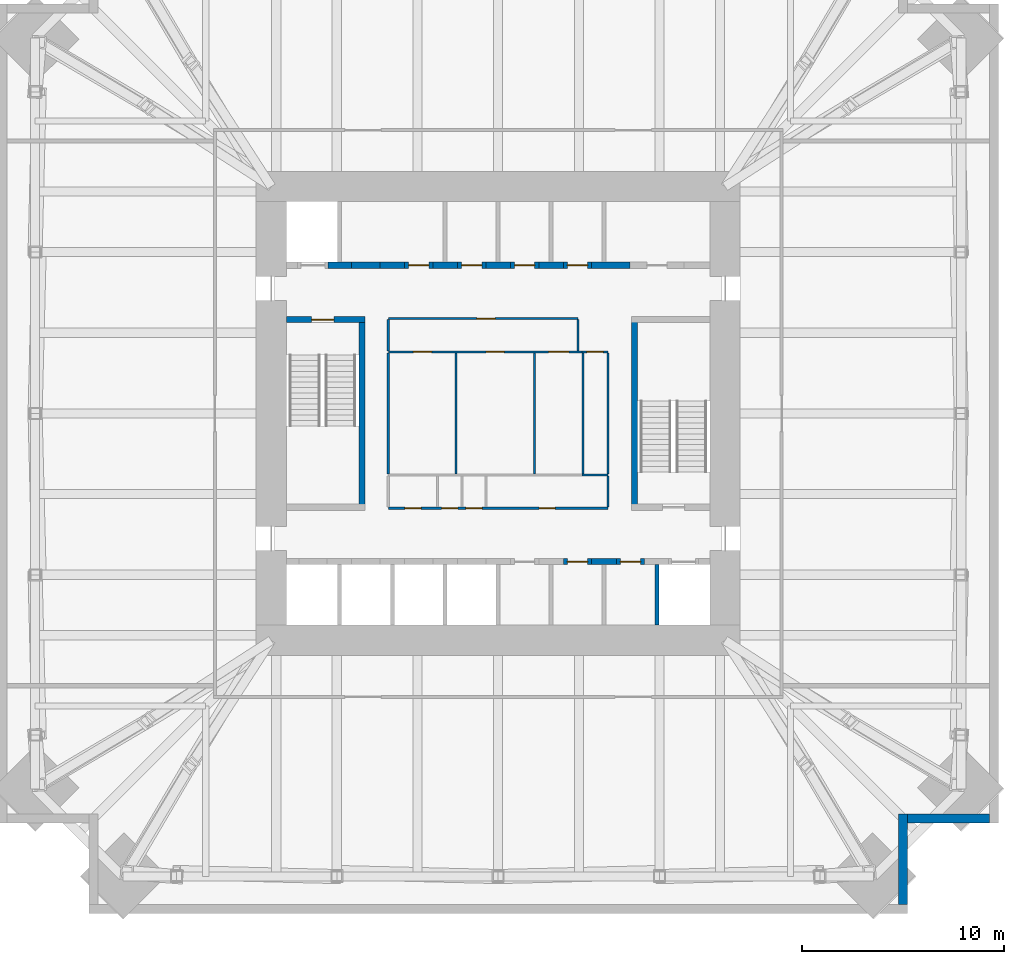
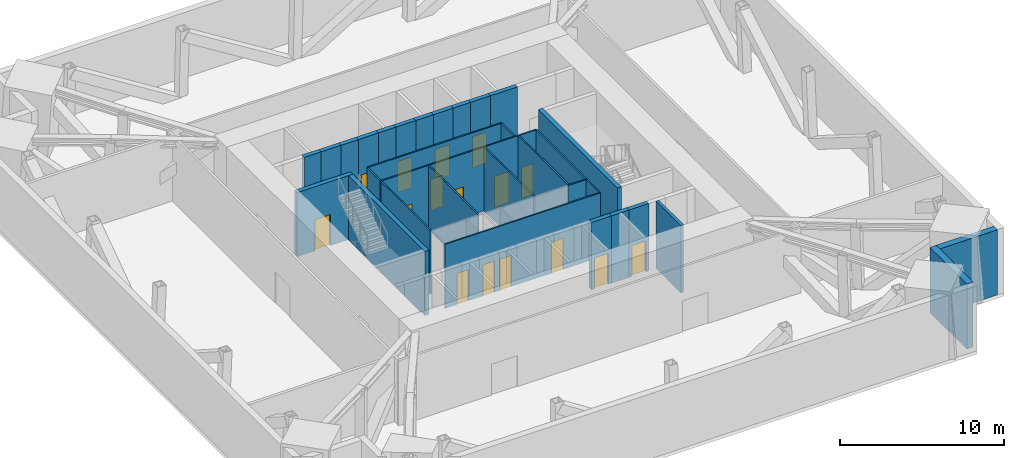
# One storey, part 4 of 6: 33 walls, 16 doors, 16 openings.
"""IFC4 building model written with IfcOpenShell, lengths in metres."""

from ifc_helpers import new_model, si_unit, direction, frame, frame_2d, origin, place, context, subcontext, project, spatial, rectangle, extrude, material, layer, layer_set, type_object, element, fill, save


model = new_model("IFC4")

# Units and contexts
model_context = context("Model", 3, precision=1e-05, world=origin(), true_north=direction((0.0, 1.0)))
body_context = subcontext(model_context, "Body", "Model", "MODEL_VIEW")
ifc_project = project(units=[si_unit("LENGTHUNIT", "METRE"), si_unit("AREAUNIT", "SQUARE_METRE"), si_unit("VOLUMEUNIT", "CUBIC_METRE"), si_unit("PLANEANGLEUNIT", "RADIAN"), si_unit("MASSUNIT", "GRAM", prefix="KILO")], contexts=[model_context])

# Site, building, storey
site_placement = place(None, origin())
site = spatial("IfcSite", under=ifc_project, at=site_placement, CompositionType="ELEMENT")
building_placement = place(site_placement, origin())
building = spatial("IfcBuilding", under=site, at=building_placement, Name="Peilmerk Tower", CompositionType="ELEMENT")
storey_placement = place(building_placement, frame((0.0, 0.0, 196.800048828125)))
storey = spatial("IfcBuildingStorey", under=building, at=storey_placement, Name="L42", CompositionType="ELEMENT", Elevation=196.800048828125)

# Walls
ifc_material_1 = material(Name="Precast concrete C45/55, board-marked finish", Category="concrete")
ifc_layer_1 = layer(ifc_material_1, 0.449951171875)
ifc_layer_set_1 = layer_set([ifc_layer_1], Name="Precast concrete C45/55, board-marked finish")
wall_type_1 = type_object("IfcWallType", Name="EW1 450 precast concrete facade wall, board-marked", PredefinedType="SOLIDWALL", material=ifc_layer_set_1)
wall_1_placement = place(storey_placement, frame((20.074951171875, -19.85009765625, 0.0), z_axis=(0.0, 0.0, 1.0), x_axis=(0.0, -1.0, 0.0)))
element("IfcWall", 1, at=wall_1_placement, inside=storey, type_object=wall_type_1, Name="Facade wall SEA L42", PredefinedType="SOLIDWALL", context=body_context, shape_type="SweptSolid", body=[
    extrude(rectangle(XDim=4.5, YDim=0.449951171875, at=frame_2d((2.25, 0.0))), origin(), (0.0, 0.0, 1.0), 4.829833984375),
])
wall_2_placement = place(storey_placement, frame((20.300048828125, -20.074951171875, 0.0), z_axis=(0.0, 0.0, 1.0), x_axis=(1.0, 0.0, 0.0)))
element("IfcWall", 2, at=wall_2_placement, inside=storey, type_object=wall_type_1, Name="Facade wall SEB L42", PredefinedType="SOLIDWALL", context=body_context, shape_type="SweptSolid", body=[
    extrude(rectangle(XDim=4.050048828125, YDim=0.449951171875, at=frame_2d((2.02490234375, 0.0))), origin(), (0.0, 0.0, 1.0), 4.829833984375),
])
ifc_material_2 = material(Name="Concrete C35/45", Category="concrete")
ifc_layer_2 = layer(ifc_material_2, 0.300048828125)
ifc_layer_set_2 = layer_set([ifc_layer_2], Name="Concrete C35/45")
wall_type_2 = type_object("IfcWallType", Name="IW3 300 concrete stair enclosure wall, EI 120", PredefinedType="SOLIDWALL", material=ifc_layer_set_2)
wall_3_placement = place(storey_placement, frame((-6.75, -4.800048828125, 0.0), z_axis=(0.0, 0.0, 1.0), x_axis=(0.0, 1.0, 0.0)))
element("IfcWall", 3, at=wall_3_placement, inside=storey, type_object=wall_type_2, Name="Stair 1 enclosure L42", PredefinedType="SOLIDWALL", context=body_context, shape_type="SweptSolid", body=[
    extrude(rectangle(XDim=9.60009765625, YDim=0.300048828125, at=frame_2d((4.800048828125, 0.0))), origin(), (0.0, 0.0, 1.0), 4.75),
])

# Wall, opening, door
wall_4_placement = place(storey_placement, frame((-10.5, 4.64990234375, 0.0), z_axis=(0.0, 0.0, 1.0), x_axis=(1.0, 0.0, 0.0)))
wall_4 = element("IfcWall", 4, at=wall_4_placement, inside=storey, type_object=wall_type_2, Name="Stair 1 enclosure L42", PredefinedType="SOLIDWALL", context=body_context, shape_type="SweptSolid", body=[
    extrude(rectangle(XDim=3.89990234375, YDim=0.300048828125, at=frame_2d((1.949951171875, 0.0))), origin(), (0.0, 0.0, 1.0), 4.75),
])
opening_1_placement = place(wall_4_placement, frame((1.25, 0.0, 0.0)))
opening_1 = element("IfcOpeningElement", 5, at=opening_1_placement, cuts=wall_4, Name="Opening D4", PredefinedType="OPENING", context=body_context, shape_type="SweptSolid", body=[
    extrude(rectangle(XDim=1.10009765625, YDim=2.300048828125, at=frame_2d((0.550048828125, 1.14990234375))), frame((0.0, 0.159912109375, 0.0), z_axis=(0.0, -1.0, 0.0), x_axis=(1.0, 0.0, 0.0)), (0.0, 0.0, 1.0), 0.320068359375),
])
ifc_material_3 = material(Name="Steel door in steel frame", Category="steel")
door_type_1 = type_object("IfcDoorType", Name="D4 1100x2300 stair door, EI2 60", OperationType="SINGLE_SWING_RIGHT", PredefinedType="DOOR", material=ifc_material_3)
door_1_placement = place(opening_1_placement, frame((1.10009765625, 0.0, 0.0), z_axis=(0.0, 0.0, 1.0), x_axis=(-1.0, 0.0, 0.0)))
door_1 = element("IfcDoor", 6, at=door_1_placement, inside=storey, type_object=door_type_1, Name="Stair 1 door L42", OperationType="SINGLE_SWING_RIGHT", OverallHeight=2.300048828125, OverallWidth=1.10009765625, PredefinedType="DOOR", context=body_context, shape_type="SweptSolid", body=[
    extrude(rectangle(XDim=1.10009765625, YDim=2.300048828125, at=frame_2d((0.550048828125, 1.14990234375))), frame((0.0, 0.02490234375, 0.0), z_axis=(0.0, -1.0, 0.0), x_axis=(1.0, 0.0, 0.0)), (0.0, 0.0, 1.0), 0.050048828125),
])
fill(opening_1, door_1)

# Wall
wall_5_placement = place(storey_placement, frame((6.75, -4.800048828125, 0.0), z_axis=(0.0, 0.0, 1.0), x_axis=(0.0, 1.0, 0.0)))
element("IfcWall", 7, at=wall_5_placement, inside=storey, type_object=wall_type_2, Name="Stair 2 enclosure L42", PredefinedType="SOLIDWALL", context=body_context, shape_type="SweptSolid", body=[
    extrude(rectangle(XDim=9.60009765625, YDim=0.300048828125, at=frame_2d((4.800048828125, 0.0))), origin(), (0.0, 0.0, 1.0), 4.75),
])

# Wall, openings, doors
ifc_material_4 = material(Name="Plasterboard on steel studs", Category="steel")
ifc_layer_3 = layer(ifc_material_4, 0.10009765625)
ifc_layer_set_3 = layer_set([ifc_layer_3], Name="Plasterboard on steel studs")
wall_type_3 = type_object("IfcWallType", Name="IW4 100 WC partition", PredefinedType="PARTITIONING", material=ifc_layer_set_3)
wall_6_placement = place(storey_placement, frame((-5.449951171875, 3.050048828125, 0.0), z_axis=(0.0, 0.0, 1.0), x_axis=(1.0, 0.0, 0.0)))
wall_6 = element("IfcWall", 8, at=wall_6_placement, inside=storey, type_object=wall_type_3, Name="WC wall L42", PredefinedType="PARTITIONING", context=body_context, shape_type="SweptSolid", body=[
    extrude(rectangle(XDim=9.599853515625, YDim=0.10009765625, at=frame_2d((4.7998046875, 0.0))), origin(), (0.0, 0.0, 1.0), 4.75),
])
opening_2_placement = place(wall_6_placement, frame((1.25, 0.0, 0.0)))
opening_2 = element("IfcOpeningElement", 9, at=opening_2_placement, cuts=wall_6, Name="Opening D5", PredefinedType="OPENING", context=body_context, shape_type="SweptSolid", body=[
    extrude(rectangle(XDim=0.89990234375, YDim=2.300048828125, at=frame_2d((0.449951171875, 1.14990234375))), frame((0.0, 0.06005859375, 0.0), z_axis=(0.0, -1.0, 0.0), x_axis=(1.0, 0.0, 0.0)), (0.0, 0.0, 1.0), 0.1201171875),
])
opening_3_placement = place(wall_6_placement, frame((4.85009765625, 0.0, 0.0)))
opening_3 = element("IfcOpeningElement", 10, at=opening_3_placement, cuts=wall_6, Name="Opening D5", PredefinedType="OPENING", context=body_context, shape_type="SweptSolid", body=[
    extrude(rectangle(XDim=0.89990234375, YDim=2.300048828125, at=frame_2d((0.449951171875, 1.14990234375))), frame((0.0, 0.06005859375, 0.0), z_axis=(0.0, -1.0, 0.0), x_axis=(1.0, 0.0, 0.0)), (0.0, 0.0, 1.0), 0.1201171875),
])
opening_4_placement = place(wall_6_placement, frame((7.949951171875, 0.0, 0.0)))
opening_4 = element("IfcOpeningElement", 11, at=opening_4_placement, cuts=wall_6, Name="Opening D6", PredefinedType="OPENING", context=body_context, shape_type="SweptSolid", body=[
    extrude(rectangle(XDim=1.0, YDim=2.300048828125, at=frame_2d((0.5, 1.14990234375))), frame((0.0, 0.06005859375, 0.0), z_axis=(0.0, -1.0, 0.0), x_axis=(1.0, 0.0, 0.0)), (0.0, 0.0, 1.0), 0.1201171875),
])
ifc_material_5 = material(Name="Timber door in steel frame", Category="steel")
door_type_2 = type_object("IfcDoorType", Name="D5 900x2300 WC door", OperationType="SINGLE_SWING_LEFT", PredefinedType="DOOR", material=ifc_material_5)
door_2_placement = place(opening_2_placement, frame((0.89990234375, 0.0, 0.0), z_axis=(0.0, 0.0, 1.0), x_axis=(-1.0, 0.0, 0.0)))
door_2 = element("IfcDoor", 12, at=door_2_placement, inside=storey, type_object=door_type_2, Name="Female toilets door L42", OperationType="SINGLE_SWING_LEFT", OverallHeight=2.300048828125, OverallWidth=0.89990234375, PredefinedType="DOOR", context=body_context, shape_type="SweptSolid", body=[
    extrude(rectangle(XDim=0.89990234375, YDim=2.300048828125, at=frame_2d((0.449951171875, 1.14990234375))), frame((0.0, 0.02490234375, 0.0), z_axis=(0.0, -1.0, 0.0), x_axis=(1.0, 0.0, 0.0)), (0.0, 0.0, 1.0), 0.050048828125),
])
fill(opening_2, door_2)
door_3_placement = place(opening_3_placement, frame((0.89990234375, 0.0, 0.0), z_axis=(0.0, 0.0, 1.0), x_axis=(-1.0, 0.0, 0.0)))
door_3 = element("IfcDoor", 13, at=door_3_placement, inside=storey, type_object=door_type_2, Name="Male toilets door L42", OperationType="SINGLE_SWING_LEFT", OverallHeight=2.300048828125, OverallWidth=0.89990234375, PredefinedType="DOOR", context=body_context, shape_type="SweptSolid", body=[
    extrude(rectangle(XDim=0.89990234375, YDim=2.300048828125, at=frame_2d((0.449951171875, 1.14990234375))), frame((0.0, 0.02490234375, 0.0), z_axis=(0.0, -1.0, 0.0), x_axis=(1.0, 0.0, 0.0)), (0.0, 0.0, 1.0), 0.050048828125),
])
fill(opening_3, door_3)
door_type_3 = type_object("IfcDoorType", Name="D6 1000x2300 accessible WC door", OperationType="SLIDING_TO_LEFT", PredefinedType="DOOR", material=ifc_material_5)
door_4_placement = place(opening_4_placement, frame((1.0, 0.0, 0.0), z_axis=(0.0, 0.0, 1.0), x_axis=(-1.0, 0.0, 0.0)))
door_4 = element("IfcDoor", 14, at=door_4_placement, inside=storey, type_object=door_type_3, Name="Accessible WC door L42", OperationType="SLIDING_TO_LEFT", OverallHeight=2.300048828125, OverallWidth=1.0, PredefinedType="DOOR", context=body_context, shape_type="SweptSolid", body=[
    extrude(rectangle(XDim=1.0, YDim=2.300048828125, at=frame_2d((0.5, 1.14990234375))), frame((0.0, 0.02490234375, 0.0), z_axis=(0.0, -1.0, 0.0), x_axis=(1.0, 0.0, 0.0)), (0.0, 0.0, 1.0), 0.050048828125),
])
fill(opening_4, door_4)

# Walls
for number, where, z_axis, x_axis, name in (
    (15, (-5.449951171875, -3.0, 0.0), (0.0, 0.0, 1.0), (0.0, 1.0, 0.0), "WC wall L42"),
    (16, (-2.10009765625, -3.0, 0.0), (0.0, 0.0, 1.0), (0.0, 1.0, 0.0), "WC wall L42"),
    (17, (1.800048828125, -3.0, 0.0), (0.0, 0.0, 1.0), (0.0, 1.0, 0.0), "WC wall L42"),
):
    element("IfcWall", number, at=place(storey_placement, frame(where, z_axis=z_axis, x_axis=x_axis)), inside=storey, type_object=wall_type_3, Name=name, PredefinedType="PARTITIONING", context=body_context, shape_type="SweptSolid", body=[
        extrude(rectangle(XDim=6.0, YDim=0.10009765625, at=frame_2d((3.0, 0.0))), origin(), (0.0, 0.0, 1.0), 4.75),
    ])

# Wall, opening, door
ifc_material_6 = material(Name="Calcium silicate board on steel studs", Category="steel")
ifc_layer_4 = layer(ifc_material_6, 0.10009765625)
ifc_layer_set_4 = layer_set([ifc_layer_4], Name="Calcium silicate board on steel studs")
wall_type_4 = type_object("IfcWallType", Name="IW5 100 riser enclosure wall, EI 60", PredefinedType="PARTITIONING", material=ifc_layer_set_4)
wall_7_placement = place(storey_placement, frame((4.14990234375, 3.050048828125, 0.0), z_axis=(0.0, 0.0, 1.0), x_axis=(1.0, 0.0, 0.0)))
wall_7 = element("IfcWall", 18, at=wall_7_placement, inside=storey, type_object=wall_type_4, Name="Riser wall L42", PredefinedType="PARTITIONING", context=body_context, shape_type="SweptSolid", body=[
    extrude(rectangle(XDim=1.300048828125, YDim=0.10009765625, at=frame_2d((0.64990234375, 0.0))), origin(), (0.0, 0.0, 1.0), 4.75),
])
opening_5_placement = place(wall_7_placement, frame((0.25, 0.0, 0.0)))
opening_5 = element("IfcOpeningElement", 19, at=opening_5_placement, cuts=wall_7, Name="Opening D7", PredefinedType="OPENING", context=body_context, shape_type="SweptSolid", body=[
    extrude(rectangle(XDim=0.800048828125, YDim=2.300048828125, at=frame_2d((0.39990234375, 1.14990234375))), frame((0.0, 0.06005859375, 0.0), z_axis=(0.0, -1.0, 0.0), x_axis=(1.0, 0.0, 0.0)), (0.0, 0.0, 1.0), 0.1201171875),
])
door_type_4 = type_object("IfcDoorType", Name="D7 800x2300 riser access door, EI2 60", OperationType="SINGLE_SWING_RIGHT", PredefinedType="DOOR", material=ifc_material_3)
door_5_placement = place(opening_5_placement, frame((0.800048828125, 0.0, 0.0), z_axis=(0.0, 0.0, 1.0), x_axis=(-1.0, 0.0, 0.0)))
door_5 = element("IfcDoor", 20, at=door_5_placement, inside=storey, type_object=door_type_4, Name="Plumbing riser door L42", OperationType="SINGLE_SWING_RIGHT", OverallHeight=2.300048828125, OverallWidth=0.800048828125, PredefinedType="DOOR", context=body_context, shape_type="SweptSolid", body=[
    extrude(rectangle(XDim=0.800048828125, YDim=2.300048828125, at=frame_2d((0.39990234375, 1.14990234375))), frame((0.0, 0.02490234375, 0.0), z_axis=(0.0, -1.0, 0.0), x_axis=(1.0, 0.0, 0.0)), (0.0, 0.0, 1.0), 0.050048828125),
])
fill(opening_5, door_5)

# Walls
wall_8_placement = place(storey_placement, frame((5.449951171875, -3.050048828125, 0.0), z_axis=(0.0, 0.0, 1.0), x_axis=(-1.0, 0.0, 0.0)))
element("IfcWall", 21, at=wall_8_placement, inside=storey, type_object=wall_type_4, Name="Riser wall L42", PredefinedType="PARTITIONING", context=body_context, shape_type="SweptSolid", body=[
    extrude(rectangle(XDim=1.300048828125, YDim=0.10009765625, at=frame_2d((0.64990234375, 0.0))), origin(), (0.0, 0.0, 1.0), 4.75),
])
for number, where, z_axis, x_axis, name in (
    (22, (5.449951171875, 3.0, 0.0), (0.0, 0.0, 1.0), (0.0, -1.0, 0.0), "Riser wall L42"),
    (23, (4.199951171875, -3.0, 0.0), (0.0, 0.0, 1.0), (0.0, 1.0, 0.0), "Riser wall L42"),
):
    element("IfcWall", number, at=place(storey_placement, frame(where, z_axis=z_axis, x_axis=x_axis)), inside=storey, type_object=wall_type_4, Name=name, PredefinedType="PARTITIONING", context=body_context, shape_type="SweptSolid", body=[
        extrude(rectangle(XDim=6.0, YDim=0.10009765625, at=frame_2d((3.0, 0.0))), origin(), (0.0, 0.0, 1.0), 4.75),
    ])

# Wall, openings, doors
wall_9_placement = place(storey_placement, frame((5.449951171875, -4.699951171875, 0.0), z_axis=(0.0, 0.0, 1.0), x_axis=(-1.0, 0.0, 0.0)))
wall_9 = element("IfcWall", 24, at=wall_9_placement, inside=storey, type_object=wall_type_4, Name="Riser wall L42", PredefinedType="PARTITIONING", context=body_context, shape_type="SweptSolid", body=[
    extrude(rectangle(XDim=10.89990234375, YDim=0.10009765625, at=frame_2d((5.449951171875, 0.0))), origin(), (0.0, 0.0, 1.0), 4.75),
])
opening_6_placement = place(wall_9_placement, frame((9.27490234375, 0.0, 0.0)))
opening_6 = element("IfcOpeningElement", 25, at=opening_6_placement, cuts=wall_9, Name="Opening D7", PredefinedType="OPENING", context=body_context, shape_type="SweptSolid", body=[
    extrude(rectangle(XDim=0.800048828125, YDim=2.300048828125, at=frame_2d((0.39990234375, 1.14990234375))), frame((0.0, 0.06005859375, 0.0), z_axis=(0.0, -1.0, 0.0), x_axis=(1.0, 0.0, 0.0)), (0.0, 0.0, 1.0), 0.1201171875),
])
opening_7_placement = place(wall_9_placement, frame((7.449951171875, 0.0, 0.0)))
opening_7 = element("IfcOpeningElement", 26, at=opening_7_placement, cuts=wall_9, Name="Opening D7", PredefinedType="OPENING", context=body_context, shape_type="SweptSolid", body=[
    extrude(rectangle(XDim=0.800048828125, YDim=2.300048828125, at=frame_2d((0.39990234375, 1.14990234375))), frame((0.0, 0.06005859375, 0.0), z_axis=(0.0, -1.0, 0.0), x_axis=(1.0, 0.0, 0.0)), (0.0, 0.0, 1.0), 0.1201171875),
])
opening_8_placement = place(wall_9_placement, frame((6.25, 0.0, 0.0)))
opening_8 = element("IfcOpeningElement", 27, at=opening_8_placement, cuts=wall_9, Name="Opening D7", PredefinedType="OPENING", context=body_context, shape_type="SweptSolid", body=[
    extrude(rectangle(XDim=0.800048828125, YDim=2.300048828125, at=frame_2d((0.39990234375, 1.14990234375))), frame((0.0, 0.06005859375, 0.0), z_axis=(0.0, -1.0, 0.0), x_axis=(1.0, 0.0, 0.0)), (0.0, 0.0, 1.0), 0.1201171875),
])
opening_9_placement = place(wall_9_placement, frame((2.625, 0.0, 0.0)))
opening_9 = element("IfcOpeningElement", 28, at=opening_9_placement, cuts=wall_9, Name="Opening D7", PredefinedType="OPENING", context=body_context, shape_type="SweptSolid", body=[
    extrude(rectangle(XDim=0.800048828125, YDim=2.300048828125, at=frame_2d((0.39990234375, 1.14990234375))), frame((0.0, 0.06005859375, 0.0), z_axis=(0.0, -1.0, 0.0), x_axis=(1.0, 0.0, 0.0)), (0.0, 0.0, 1.0), 0.1201171875),
])
door_6_placement = place(opening_6_placement, frame((0.800048828125, 0.0, 0.0), z_axis=(0.0, 0.0, 1.0), x_axis=(-1.0, 0.0, 0.0)))
door_6 = element("IfcDoor", 29, at=door_6_placement, inside=storey, type_object=door_type_4, Name="Cleaner's cupboard door L42", OperationType="SINGLE_SWING_RIGHT", OverallHeight=2.300048828125, OverallWidth=0.800048828125, PredefinedType="DOOR", context=body_context, shape_type="SweptSolid", body=[
    extrude(rectangle(XDim=0.800048828125, YDim=2.300048828125, at=frame_2d((0.39990234375, 1.14990234375))), frame((0.0, 0.02490234375, 0.0), z_axis=(0.0, -1.0, 0.0), x_axis=(1.0, 0.0, 0.0)), (0.0, 0.0, 1.0), 0.050048828125),
])
fill(opening_6, door_6)
door_7_placement = place(opening_7_placement, frame((0.800048828125, 0.0, 0.0), z_axis=(0.0, 0.0, 1.0), x_axis=(-1.0, 0.0, 0.0)))
door_7 = element("IfcDoor", 30, at=door_7_placement, inside=storey, type_object=door_type_4, Name="Electrical riser door L42", OperationType="SINGLE_SWING_RIGHT", OverallHeight=2.300048828125, OverallWidth=0.800048828125, PredefinedType="DOOR", context=body_context, shape_type="SweptSolid", body=[
    extrude(rectangle(XDim=0.800048828125, YDim=2.300048828125, at=frame_2d((0.39990234375, 1.14990234375))), frame((0.0, 0.02490234375, 0.0), z_axis=(0.0, -1.0, 0.0), x_axis=(1.0, 0.0, 0.0)), (0.0, 0.0, 1.0), 0.050048828125),
])
fill(opening_7, door_7)
door_8_placement = place(opening_8_placement, frame((0.800048828125, 0.0, 0.0), z_axis=(0.0, 0.0, 1.0), x_axis=(-1.0, 0.0, 0.0)))
door_8 = element("IfcDoor", 31, at=door_8_placement, inside=storey, type_object=door_type_4, Name="Data riser door L42", OperationType="SINGLE_SWING_RIGHT", OverallHeight=2.300048828125, OverallWidth=0.800048828125, PredefinedType="DOOR", context=body_context, shape_type="SweptSolid", body=[
    extrude(rectangle(XDim=0.800048828125, YDim=2.300048828125, at=frame_2d((0.39990234375, 1.14990234375))), frame((0.0, 0.02490234375, 0.0), z_axis=(0.0, -1.0, 0.0), x_axis=(1.0, 0.0, 0.0)), (0.0, 0.0, 1.0), 0.050048828125),
])
fill(opening_8, door_8)
door_9_placement = place(opening_9_placement, frame((0.800048828125, 0.0, 0.0), z_axis=(0.0, 0.0, 1.0), x_axis=(-1.0, 0.0, 0.0)))
door_9 = element("IfcDoor", 32, at=door_9_placement, inside=storey, type_object=door_type_4, Name="Comms room door L42", OperationType="SINGLE_SWING_RIGHT", OverallHeight=2.300048828125, OverallWidth=0.800048828125, PredefinedType="DOOR", context=body_context, shape_type="SweptSolid", body=[
    extrude(rectangle(XDim=0.800048828125, YDim=2.300048828125, at=frame_2d((0.39990234375, 1.14990234375))), frame((0.0, 0.02490234375, 0.0), z_axis=(0.0, -1.0, 0.0), x_axis=(1.0, 0.0, 0.0)), (0.0, 0.0, 1.0), 0.050048828125),
])
fill(opening_9, door_9)

# Wall
wall_10_placement = place(storey_placement, frame((5.449951171875, -3.10009765625, 0.0), z_axis=(0.0, 0.0, 1.0), x_axis=(0.0, -1.0, 0.0)))
element("IfcWall", 33, at=wall_10_placement, inside=storey, type_object=wall_type_4, Name="Riser wall L42", PredefinedType="PARTITIONING", context=body_context, shape_type="SweptSolid", body=[
    extrude(rectangle(XDim=1.5498046875, YDim=0.10009765625, at=frame_2d((0.77490234375, 0.0))), origin(), (0.0, 0.0, 1.0), 4.75),
])

# Wall, opening, door
ifc_material_7 = material(Name="Fire-resisting plasterboard on steel studs", Category="steel")
ifc_layer_5 = layer(ifc_material_7, 0.10009765625)
ifc_layer_set_5 = layer_set([ifc_layer_5], Name="Fire-resisting plasterboard on steel studs")
wall_type_5 = type_object("IfcWallType", Name="IW9 100 WC lobby wall, EI 30", PredefinedType="PARTITIONING", material=ifc_layer_set_5)
wall_11_placement = place(storey_placement, frame((-5.449951171875, 4.699951171875, 0.0), z_axis=(0.0, 0.0, 1.0), x_axis=(1.0, 0.0, 0.0)))
wall_11 = element("IfcWall", 34, at=wall_11_placement, inside=storey, type_object=wall_type_5, Name="WC lobby wall L42", PredefinedType="PARTITIONING", context=body_context, shape_type="SweptSolid", body=[
    extrude(rectangle(XDim=9.39990234375, YDim=0.10009765625, at=frame_2d((4.699951171875, 0.0))), origin(), (0.0, 0.0, 1.0), 4.75),
])
opening_10_placement = place(wall_11_placement, frame((4.39990234375, 0.0, 0.0)))
opening_10 = element("IfcOpeningElement", 35, at=opening_10_placement, cuts=wall_11, Name="Opening D11", PredefinedType="OPENING", context=body_context, shape_type="SweptSolid", body=[
    extrude(rectangle(XDim=0.89990234375, YDim=2.300048828125, at=frame_2d((0.449951171875, 1.14990234375))), frame((0.0, 0.06005859375, 0.0), z_axis=(0.0, -1.0, 0.0), x_axis=(1.0, 0.0, 0.0)), (0.0, 0.0, 1.0), 0.1201171875),
])
door_type_5 = type_object("IfcDoorType", Name="D11 900x2300 WC lobby door, EI2 30", OperationType="SINGLE_SWING_LEFT", PredefinedType="DOOR", material=ifc_material_5)
door_10_placement = place(opening_10_placement, frame((0.89990234375, 0.0, 0.0), z_axis=(0.0, 0.0, 1.0), x_axis=(-1.0, 0.0, 0.0)))
door_10 = element("IfcDoor", 36, at=door_10_placement, inside=storey, type_object=door_type_5, Name="WC lobby door L42", OperationType="SINGLE_SWING_LEFT", OverallHeight=2.300048828125, OverallWidth=0.89990234375, PredefinedType="DOOR", context=body_context, shape_type="SweptSolid", body=[
    extrude(rectangle(XDim=0.89990234375, YDim=2.300048828125, at=frame_2d((0.449951171875, 1.14990234375))), frame((0.0, 0.02490234375, 0.0), z_axis=(0.0, -1.0, 0.0), x_axis=(1.0, 0.0, 0.0)), (0.0, 0.0, 1.0), 0.050048828125),
])
fill(opening_10, door_10)

# Walls
for number, where, z_axis, x_axis, name in (
    (37, (-5.449951171875, 3.10009765625, 0.0), (0.0, 0.0, 1.0), (0.0, 1.0, 0.0), "WC lobby wall L42"),
    (38, (3.949951171875, 3.10009765625, 0.0), (0.0, 0.0, 1.0), (0.0, 1.0, 0.0), "WC lobby wall L42"),
):
    element("IfcWall", number, at=place(storey_placement, frame(where, z_axis=z_axis, x_axis=x_axis)), inside=storey, type_object=wall_type_5, Name=name, PredefinedType="PARTITIONING", context=body_context, shape_type="SweptSolid", body=[
        extrude(rectangle(XDim=1.5498046875, YDim=0.10009765625, at=frame_2d((0.77490234375, 0.0))), origin(), (0.0, 0.0, 1.0), 4.75),
    ])
ifc_material_8 = material(Name="Calcium silicate block", Category="masonry")
ifc_layer_6 = layer(ifc_material_8, 0.199951171875)
ifc_layer_set_6 = layer_set([ifc_layer_6], Name="Calcium silicate block")
wall_type_6 = type_object("IfcWallType", Name="SH1 200 shaft dividing wall, EI 120", PredefinedType="PARTITIONING", material=ifc_layer_set_6)
wall_12_placement = place(storey_placement, frame((7.875, -10.5, 0.0), z_axis=(0.0, 0.0, 1.0), x_axis=(0.0, 1.0, 0.0)))
element("IfcWall", 39, at=wall_12_placement, inside=storey, type_object=wall_type_6, Name="Shaft wall S B1 L42", PredefinedType="PARTITIONING", context=body_context, shape_type="SweptSolid", body=[
    extrude(rectangle(XDim=3.0, YDim=0.199951171875, at=frame_2d((1.5, 0.0))), origin(), (0.0, 0.0, 1.0), 5.0),
])
ifc_layer_7 = layer(ifc_material_8, 0.300048828125)
ifc_layer_set_7 = layer_set([ifc_layer_7], Name="Calcium silicate block")
wall_type_7 = type_object("IfcWallType", Name="SH2 300 lift landing door panel, EI 120", PredefinedType="PARTITIONING", material=ifc_layer_set_7)
wall_13_placement = place(storey_placement, frame((-7.262451171875, 7.35009765625, 0.0), z_axis=(0.0, 0.0, 1.0), x_axis=(1.0, 0.0, 0.0)))
element("IfcWall", 40, at=wall_13_placement, inside=storey, type_object=wall_type_7, Name="Lift door panel N A1 L42", PredefinedType="PARTITIONING", context=body_context, shape_type="SweptSolid", body=[
    extrude(rectangle(XDim=1.39990234375, YDim=0.300048828125, at=frame_2d((0.699951171875, 0.0))), origin(), (0.0, 0.0, 1.0), 5.0),
])

# Wall, opening, door
wall_14_placement = place(storey_placement, frame((-4.637451171875, 7.35009765625, 0.0), z_axis=(0.0, 0.0, 1.0), x_axis=(1.0, 0.0, 0.0)))
wall_14 = element("IfcWall", 41, at=wall_14_placement, inside=storey, type_object=wall_type_7, Name="Lift door panel N A2 L42", PredefinedType="PARTITIONING", context=body_context, shape_type="SweptSolid", body=[
    extrude(rectangle(XDim=1.39990234375, YDim=0.300048828125, at=frame_2d((0.699951171875, 0.0))), origin(), (0.0, 0.0, 1.0), 5.0),
])
opening_11_placement = place(wall_14_placement, frame((0.199951171875, 0.0, 0.0)))
opening_11 = element("IfcOpeningElement", 42, at=opening_11_placement, cuts=wall_14, Name="Opening D10", PredefinedType="OPENING", context=body_context, shape_type="SweptSolid", body=[
    extrude(rectangle(XDim=1.0, YDim=2.300048828125, at=frame_2d((0.5, 1.14990234375))), frame((0.0, 0.159912109375, 0.0), z_axis=(0.0, -1.0, 0.0), x_axis=(1.0, 0.0, 0.0)), (0.0, 0.0, 1.0), 0.320068359375),
])
door_type_6 = type_object("IfcDoorType", Name="D10 1000x2300 core room door, EI2 60", OperationType="SINGLE_SWING_RIGHT", PredefinedType="DOOR", material=ifc_material_3)
door_11_placement = place(opening_11_placement, origin())
door_11 = element("IfcDoor", 43, at=door_11_placement, inside=storey, type_object=door_type_6, Name="Door Water plant room L42", OperationType="SINGLE_SWING_RIGHT", OverallHeight=2.300048828125, OverallWidth=1.0, PredefinedType="DOOR", context=body_context, shape_type="SweptSolid", body=[
    extrude(rectangle(XDim=1.0, YDim=2.300048828125, at=frame_2d((0.5, 1.14990234375))), frame((0.0, 0.02490234375, 0.0), z_axis=(0.0, -1.0, 0.0), x_axis=(1.0, 0.0, 0.0)), (0.0, 0.0, 1.0), 0.050048828125),
])
fill(opening_11, door_11)

wall_15_placement = place(storey_placement, frame((-2.012451171875, 7.35009765625, 0.0), z_axis=(0.0, 0.0, 1.0), x_axis=(1.0, 0.0, 0.0)))
wall_15 = element("IfcWall", 44, at=wall_15_placement, inside=storey, type_object=wall_type_7, Name="Lift door panel N A3 L42", PredefinedType="PARTITIONING", context=body_context, shape_type="SweptSolid", body=[
    extrude(rectangle(XDim=1.39990234375, YDim=0.300048828125, at=frame_2d((0.699951171875, 0.0))), origin(), (0.0, 0.0, 1.0), 5.0),
])
opening_12_placement = place(wall_15_placement, frame((0.199951171875, 0.0, 0.0)))
opening_12 = element("IfcOpeningElement", 45, at=opening_12_placement, cuts=wall_15, Name="Opening D10", PredefinedType="OPENING", context=body_context, shape_type="SweptSolid", body=[
    extrude(rectangle(XDim=1.0, YDim=2.300048828125, at=frame_2d((0.5, 1.14990234375))), frame((0.0, 0.159912109375, 0.0), z_axis=(0.0, -1.0, 0.0), x_axis=(1.0, 0.0, 0.0)), (0.0, 0.0, 1.0), 0.320068359375),
])
door_12_placement = place(opening_12_placement, origin())
door_12 = element("IfcDoor", 46, at=door_12_placement, inside=storey, type_object=door_type_6, Name="Door Electrical plant room L42", OperationType="SINGLE_SWING_RIGHT", OverallHeight=2.300048828125, OverallWidth=1.0, PredefinedType="DOOR", context=body_context, shape_type="SweptSolid", body=[
    extrude(rectangle(XDim=1.0, YDim=2.300048828125, at=frame_2d((0.5, 1.14990234375))), frame((0.0, 0.02490234375, 0.0), z_axis=(0.0, -1.0, 0.0), x_axis=(1.0, 0.0, 0.0)), (0.0, 0.0, 1.0), 0.050048828125),
])
fill(opening_12, door_12)

wall_16_placement = place(storey_placement, frame((0.612548828125, 7.35009765625, 0.0), z_axis=(0.0, 0.0, 1.0), x_axis=(1.0, 0.0, 0.0)))
wall_16 = element("IfcWall", 47, at=wall_16_placement, inside=storey, type_object=wall_type_7, Name="Lift door panel N S1 L42", PredefinedType="PARTITIONING", context=body_context, shape_type="SweptSolid", body=[
    extrude(rectangle(XDim=1.39990234375, YDim=0.300048828125, at=frame_2d((0.699951171875, 0.0))), origin(), (0.0, 0.0, 1.0), 5.0),
])
opening_13_placement = place(wall_16_placement, frame((0.199951171875, 0.0, 0.0)))
opening_13 = element("IfcOpeningElement", 48, at=opening_13_placement, cuts=wall_16, Name="Opening D10", PredefinedType="OPENING", context=body_context, shape_type="SweptSolid", body=[
    extrude(rectangle(XDim=1.0, YDim=2.300048828125, at=frame_2d((0.5, 1.14990234375))), frame((0.0, 0.159912109375, 0.0), z_axis=(0.0, -1.0, 0.0), x_axis=(1.0, 0.0, 0.0)), (0.0, 0.0, 1.0), 0.320068359375),
])
door_13_placement = place(opening_13_placement, origin())
door_13 = element("IfcDoor", 49, at=door_13_placement, inside=storey, type_object=door_type_6, Name="Door Sprinkler valve plant room L42", OperationType="SINGLE_SWING_RIGHT", OverallHeight=2.300048828125, OverallWidth=1.0, PredefinedType="DOOR", context=body_context, shape_type="SweptSolid", body=[
    extrude(rectangle(XDim=1.0, YDim=2.300048828125, at=frame_2d((0.5, 1.14990234375))), frame((0.0, 0.02490234375, 0.0), z_axis=(0.0, -1.0, 0.0), x_axis=(1.0, 0.0, 0.0)), (0.0, 0.0, 1.0), 0.050048828125),
])
fill(opening_13, door_13)

wall_17_placement = place(storey_placement, frame((3.237548828125, 7.35009765625, 0.0), z_axis=(0.0, 0.0, 1.0), x_axis=(1.0, 0.0, 0.0)))
wall_17 = element("IfcWall", 50, at=wall_17_placement, inside=storey, type_object=wall_type_7, Name="Lift door panel N S2 L42", PredefinedType="PARTITIONING", context=body_context, shape_type="SweptSolid", body=[
    extrude(rectangle(XDim=1.39990234375, YDim=0.300048828125, at=frame_2d((0.699951171875, 0.0))), origin(), (0.0, 0.0, 1.0), 5.0),
])
opening_14_placement = place(wall_17_placement, frame((0.199951171875, 0.0, 0.0)))
opening_14 = element("IfcOpeningElement", 51, at=opening_14_placement, cuts=wall_17, Name="Opening D10", PredefinedType="OPENING", context=body_context, shape_type="SweptSolid", body=[
    extrude(rectangle(XDim=1.0, YDim=2.300048828125, at=frame_2d((0.5, 1.14990234375))), frame((0.0, 0.159912109375, 0.0), z_axis=(0.0, -1.0, 0.0), x_axis=(1.0, 0.0, 0.0)), (0.0, 0.0, 1.0), 0.320068359375),
])
door_14_placement = place(opening_14_placement, origin())
door_14 = element("IfcDoor", 52, at=door_14_placement, inside=storey, type_object=door_type_6, Name="Door Comms plant room L42", OperationType="SINGLE_SWING_RIGHT", OverallHeight=2.300048828125, OverallWidth=1.0, PredefinedType="DOOR", context=body_context, shape_type="SweptSolid", body=[
    extrude(rectangle(XDim=1.0, YDim=2.300048828125, at=frame_2d((0.5, 1.14990234375))), frame((0.0, 0.02490234375, 0.0), z_axis=(0.0, -1.0, 0.0), x_axis=(1.0, 0.0, 0.0)), (0.0, 0.0, 1.0), 0.050048828125),
])
fill(opening_14, door_14)

wall_18_placement = place(storey_placement, frame((3.237548828125, -7.35009765625, 0.0), z_axis=(0.0, 0.0, 1.0), x_axis=(1.0, 0.0, 0.0)))
wall_18 = element("IfcWall", 53, at=wall_18_placement, inside=storey, type_object=wall_type_7, Name="Lift door panel S B2 L42", PredefinedType="PARTITIONING", context=body_context, shape_type="SweptSolid", body=[
    extrude(rectangle(XDim=1.39990234375, YDim=0.300048828125, at=frame_2d((0.699951171875, 0.0))), origin(), (0.0, 0.0, 1.0), 5.0),
])
opening_15_placement = place(wall_18_placement, frame((0.199951171875, 0.0, 0.0)))
opening_15 = element("IfcOpeningElement", 54, at=opening_15_placement, cuts=wall_18, Name="Opening D10", PredefinedType="OPENING", context=body_context, shape_type="SweptSolid", body=[
    extrude(rectangle(XDim=1.0, YDim=2.300048828125, at=frame_2d((0.5, 1.14990234375))), frame((0.0, 0.159912109375, 0.0), z_axis=(0.0, -1.0, 0.0), x_axis=(1.0, 0.0, 0.0)), (0.0, 0.0, 1.0), 0.320068359375),
])
door_15_placement = place(opening_15_placement, frame((1.0, 0.0, 0.0), z_axis=(0.0, 0.0, 1.0), x_axis=(-1.0, 0.0, 0.0)))
door_15 = element("IfcDoor", 55, at=door_15_placement, inside=storey, type_object=door_type_6, Name="Door Ventilation plant room L42", OperationType="SINGLE_SWING_RIGHT", OverallHeight=2.300048828125, OverallWidth=1.0, PredefinedType="DOOR", context=body_context, shape_type="SweptSolid", body=[
    extrude(rectangle(XDim=1.0, YDim=2.300048828125, at=frame_2d((0.5, 1.14990234375))), frame((0.0, 0.02490234375, 0.0), z_axis=(0.0, -1.0, 0.0), x_axis=(1.0, 0.0, 0.0)), (0.0, 0.0, 1.0), 0.050048828125),
])
fill(opening_15, door_15)

wall_19_placement = place(storey_placement, frame((5.862548828125, -7.35009765625, 0.0), z_axis=(0.0, 0.0, 1.0), x_axis=(1.0, 0.0, 0.0)))
wall_19 = element("IfcWall", 56, at=wall_19_placement, inside=storey, type_object=wall_type_7, Name="Lift door panel S B1 L42", PredefinedType="PARTITIONING", context=body_context, shape_type="SweptSolid", body=[
    extrude(rectangle(XDim=1.39990234375, YDim=0.300048828125, at=frame_2d((0.699951171875, 0.0))), origin(), (0.0, 0.0, 1.0), 5.0),
])
opening_16_placement = place(wall_19_placement, frame((0.199951171875, 0.0, 0.0)))
opening_16 = element("IfcOpeningElement", 57, at=opening_16_placement, cuts=wall_19, Name="Opening D10", PredefinedType="OPENING", context=body_context, shape_type="SweptSolid", body=[
    extrude(rectangle(XDim=1.0, YDim=2.300048828125, at=frame_2d((0.5, 1.14990234375))), frame((0.0, 0.159912109375, 0.0), z_axis=(0.0, -1.0, 0.0), x_axis=(1.0, 0.0, 0.0)), (0.0, 0.0, 1.0), 0.320068359375),
])
door_16_placement = place(opening_16_placement, frame((1.0, 0.0, 0.0), z_axis=(0.0, 0.0, 1.0), x_axis=(-1.0, 0.0, 0.0)))
door_16 = element("IfcDoor", 58, at=door_16_placement, inside=storey, type_object=door_type_6, Name="Door Chilled water plant room L42", OperationType="SINGLE_SWING_RIGHT", OverallHeight=2.300048828125, OverallWidth=1.0, PredefinedType="DOOR", context=body_context, shape_type="SweptSolid", body=[
    extrude(rectangle(XDim=1.0, YDim=2.300048828125, at=frame_2d((0.5, 1.14990234375))), frame((0.0, 0.02490234375, 0.0), z_axis=(0.0, -1.0, 0.0), x_axis=(1.0, 0.0, 0.0)), (0.0, 0.0, 1.0), 0.050048828125),
])
fill(opening_16, door_16)

# Walls
ifc_material_9 = material(Name="Concrete C55/67", Category="concrete")
ifc_layer_8 = layer(ifc_material_9, 0.300048828125)
ifc_layer_set_8 = layer_set([ifc_layer_8], Name="Concrete C55/67")
wall_type_8 = type_object("IfcWallType", Name="SW2 300 lift bank pier", PredefinedType="SHEAR", material=ifc_layer_set_8)
wall_20_placement = place(storey_placement, frame((-8.4375, 7.35009765625, 0.0), z_axis=(0.0, 0.0, 1.0), x_axis=(1.0, 0.0, 0.0)))
element("IfcWall", 59, at=wall_20_placement, inside=storey, type_object=wall_type_8, Name="Lift bank pier N L42", PredefinedType="SHEAR", context=body_context, shape_type="SweptSolid", body=[
    extrude(rectangle(XDim=1.175048828125, YDim=0.300048828125, at=frame_2d((0.58740234375, 0.0))), origin(), (0.0, 0.0, 1.0), 5.0),
])
for number, where, z_axis, x_axis, name in (
    (60, (-5.862548828125, 7.35009765625, 0.0), (0.0, 0.0, 1.0), (1.0, 0.0, 0.0), "Lift bank pier N L42"),
    (61, (-3.237548828125, 7.35009765625, 0.0), (0.0, 0.0, 1.0), (1.0, 0.0, 0.0), "Lift bank pier N L42"),
    (62, (-0.612548828125, 7.35009765625, 0.0), (0.0, 0.0, 1.0), (1.0, 0.0, 0.0), "Lift bank pier N L42"),
    (63, (2.012451171875, 7.35009765625, 0.0), (0.0, 0.0, 1.0), (1.0, 0.0, 0.0), "Lift bank pier N L42"),
):
    element("IfcWall", number, at=place(storey_placement, frame(where, z_axis=z_axis, x_axis=x_axis)), inside=storey, type_object=wall_type_8, Name=name, PredefinedType="SHEAR", context=body_context, shape_type="SweptSolid", body=[
        extrude(rectangle(XDim=1.22509765625, YDim=0.300048828125, at=frame_2d((0.612548828125, 0.0))), origin(), (0.0, 0.0, 1.0), 5.0),
    ])
wall_21_placement = place(storey_placement, frame((4.637451171875, 7.35009765625, 0.0), z_axis=(0.0, 0.0, 1.0), x_axis=(1.0, 0.0, 0.0)))
element("IfcWall", 64, at=wall_21_placement, inside=storey, type_object=wall_type_8, Name="Lift bank pier N L42", PredefinedType="SHEAR", context=body_context, shape_type="SweptSolid", body=[
    extrude(rectangle(XDim=1.887451171875, YDim=0.300048828125, at=frame_2d((0.94384765625, 0.0))), origin(), (0.0, 0.0, 1.0), 5.0),
])
wall_22_placement = place(storey_placement, frame((4.637451171875, -7.35009765625, 0.0), z_axis=(0.0, 0.0, 1.0), x_axis=(1.0, 0.0, 0.0)))
element("IfcWall", 65, at=wall_22_placement, inside=storey, type_object=wall_type_8, Name="Lift bank pier S L42", PredefinedType="SHEAR", context=body_context, shape_type="SweptSolid", body=[
    extrude(rectangle(XDim=1.22509765625, YDim=0.300048828125, at=frame_2d((0.612548828125, 0.0))), origin(), (0.0, 0.0, 1.0), 5.0),
])

save(model, "model.ifc")
